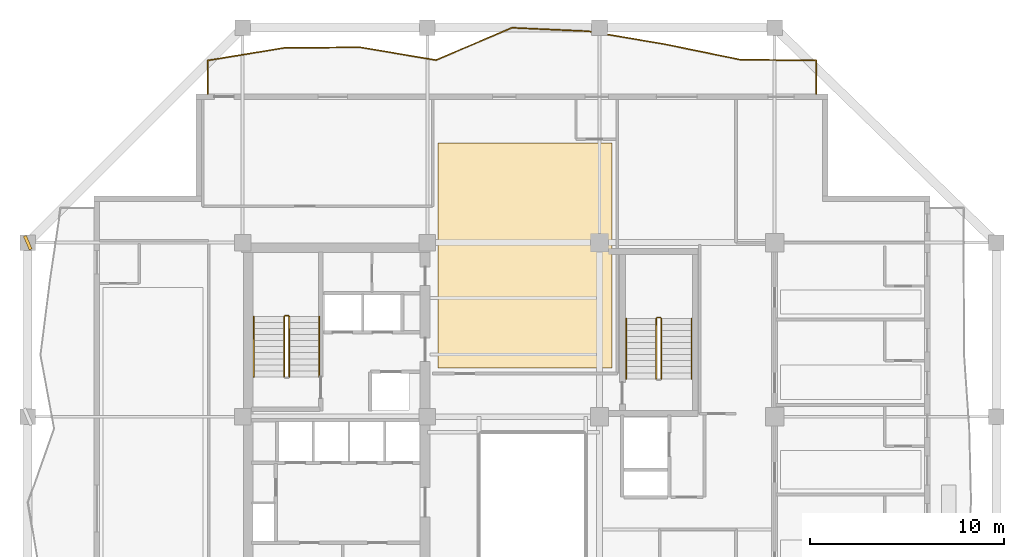
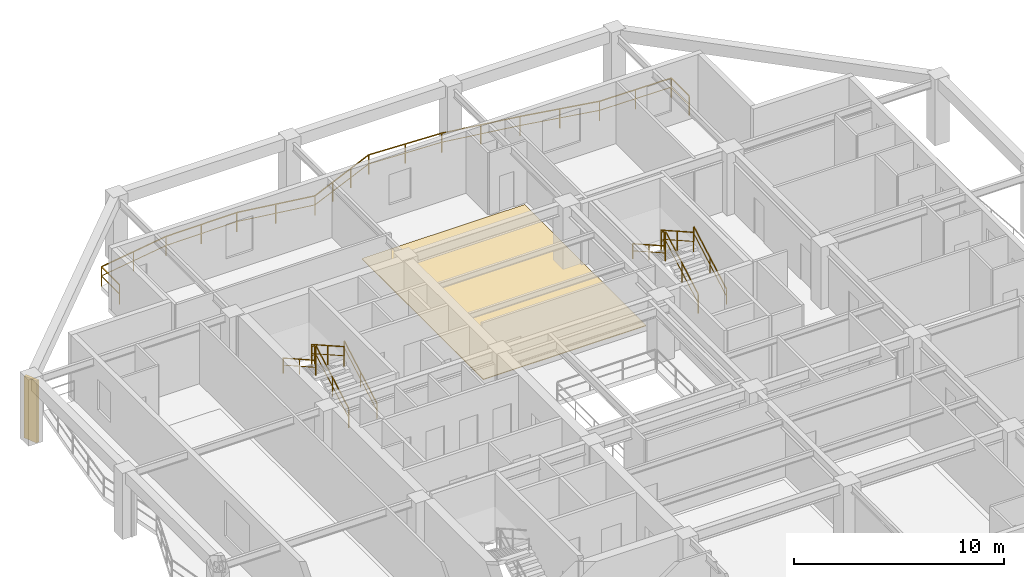
# One storey, part 11 of 13: 11 railings, 1 covering, 1 shading device.
"""IFC4 building model written with IfcOpenShell, lengths in metres."""

from ifc_helpers import new_model, si_unit, direction, frame, origin, origin_2d, place, context, subcontext, project, spatial, polyline, rectangle, outline, extrude, material, layer, layer_set, type_object, element, save


model = new_model("IFC4")

# Units and contexts
model_context = context("Model", 3, precision=1e-05, world=origin(), true_north=direction((0.0, 1.0)))
body_context = subcontext(model_context, "Body", "Model", "MODEL_VIEW")
ifc_project = project(units=[si_unit("LENGTHUNIT", "METRE"), si_unit("AREAUNIT", "SQUARE_METRE"), si_unit("VOLUMEUNIT", "CUBIC_METRE"), si_unit("PLANEANGLEUNIT", "RADIAN"), si_unit("MASSUNIT", "GRAM", prefix="KILO")], contexts=[model_context])

# Site, building, storey
site_placement = place(None, origin())
site = spatial("IfcSite", under=ifc_project, at=site_placement, CompositionType="ELEMENT")
building_placement = place(site_placement, origin())
building = spatial("IfcBuilding", under=site, at=building_placement, Name="Kundavana Baori Tower", CompositionType="ELEMENT")
storey_placement = place(building_placement, frame((0.0, 0.0, 188.699951171875)))
storey = spatial("IfcBuildingStorey", under=building, at=storey_placement, Name="L46", CompositionType="ELEMENT", Elevation=188.699951171875)

# Covering
ifc_material_1 = material(Name="Honed Kota Stone and Terrazzo Flooring", Category="masonry")
ifc_layer = layer(ifc_material_1, 0.0400390625, Name="COV-FLR-TERR-40")
ifc_layer_set = layer_set([ifc_layer], Name="Honed Kota Stone and Terrazzo Flooring")
covering_type = type_object("IfcCoveringType", Name="COV-FLR-TERR-40", PredefinedType="FLOORING", material=ifc_layer_set)
covering_placement = place(storey_placement, origin())
element("IfcCovering", 1, at=covering_placement, inside=storey, type_object=covering_type, Name="L46 Room Finished Stone Flooring 10", PredefinedType="FLOORING", context=body_context, shape_type="SweptSolid", body=[
    extrude(outline(polyline([(25.5, 35.5), (34.43994140625, 35.5), (34.43994140625, 47.070068359375), (25.5, 47.070068359375), (25.5, 35.5)])), origin(), (0.0, 0.0, 1.0), 0.0400390625),
])

# Railings
ifc_material_2 = material(Name="Architectural Patinated Bronze Metalwork")
railing_type_1 = type_object("IfcRailingType", Name="RL-BAL-1150", PredefinedType="BALUSTRADE", material=ifc_material_2)
railing_1_placement = place(storey_placement, frame((13.64990234375, 49.60009765625, 0.0)))
element("IfcRailing", 2, at=railing_1_placement, inside=storey, type_object=railing_type_1, Name="L46 Loggia Balcony Balustrade N", PredefinedType="BALUSTRADE", context=body_context, shape_type="SweptSolid", body=[
    extrude(rectangle(XDim=0.048095703125, YDim=0.048095703125, at=origin_2d()), frame((0.0, 0.0, 1.1259765625), z_axis=(0.0, 1.0, 0.0), x_axis=(-1.0, 0.0, 0.0)), (0.0, 0.0, 1.0), 1.719970703125),
    extrude(rectangle(XDim=0.03125, YDim=0.03125, at=origin_2d()), frame((0.0, 0.0, 0.597900390625), z_axis=(0.0, 1.0, 0.0), x_axis=(-1.0, 0.0, 0.0)), (0.0, 0.0, 1.0), 1.719970703125),
    extrude(rectangle(XDim=0.048095703125, YDim=0.048095703125, at=origin_2d()), frame((0.0, 1.719970703125, 1.1259765625), z_axis=(0.986806866027, 0.161901850398, 0.0), x_axis=(-0.161901850398, 0.986806866027, 0.0)), (0.0, 0.0, 1.0), 3.96435546875),
    extrude(rectangle(XDim=0.03125, YDim=0.03125, at=origin_2d()), frame((0.0, 1.719970703125, 0.597900390625), z_axis=(0.986806866027, 0.161901850398, 0.0), x_axis=(-0.161901850398, 0.986806866027, 0.0)), (0.0, 0.0, 1.0), 3.96435546875),
    extrude(rectangle(XDim=0.048095703125, YDim=0.048095703125, at=origin_2d()), frame((3.912109375, 2.36181640625, 1.1259765625), z_axis=(0.999955035557, 0.009482977627, 0.0), x_axis=(-0.009482977627, 0.999955035557, 0.0)), (0.0, 0.0, 1.0), 3.913330078125),
    extrude(rectangle(XDim=0.03125, YDim=0.03125, at=origin_2d()), frame((3.912109375, 2.36181640625, 0.597900390625), z_axis=(0.999955035557, 0.009482977627, 0.0), x_axis=(-0.009482977627, 0.999955035557, 0.0)), (0.0, 0.0, 1.0), 3.913330078125),
    extrude(rectangle(XDim=0.048095703125, YDim=0.048095703125, at=origin_2d()), frame((7.8251953125, 2.39892578125, 1.1259765625), z_axis=(0.986023986339, -0.166603416423, 0.0), x_axis=(0.166603416423, 0.986023986339, 0.0)), (0.0, 0.0, 1.0), 3.96826171875),
    extrude(rectangle(XDim=0.03125, YDim=0.03125, at=origin_2d()), frame((7.8251953125, 2.39892578125, 0.597900390625), z_axis=(0.986023986339, -0.166603416423, 0.0), x_axis=(0.166603416423, 0.986023986339, 0.0)), (0.0, 0.0, 1.0), 3.96826171875),
    extrude(rectangle(XDim=0.048095703125, YDim=0.048095703125, at=origin_2d()), frame((11.738037109375, 1.73779296875, 1.1259765625), z_axis=(0.920376399955, 0.391033607769, 0.0), x_axis=(-0.391033607769, 0.920376399955, 0.0)), (0.0, 0.0, 1.0), 4.25048828125),
    extrude(rectangle(XDim=0.03125, YDim=0.03125, at=origin_2d()), frame((11.738037109375, 1.73779296875, 0.597900390625), z_axis=(0.920376399955, 0.391033607769, 0.0), x_axis=(-0.391033607769, 0.920376399955, 0.0)), (0.0, 0.0, 1.0), 4.25048828125),
    extrude(rectangle(XDim=0.048095703125, YDim=0.048095703125, at=origin_2d()), frame((15.650146484375, 3.39990234375, 1.1259765625), z_axis=(0.998978412332, -0.045189951266, 0.0), x_axis=(0.045189951266, 0.998978412332, 0.0)), (0.0, 0.0, 1.0), 3.916748046875),
    extrude(rectangle(XDim=0.03125, YDim=0.03125, at=origin_2d()), frame((15.650146484375, 3.39990234375, 0.597900390625), z_axis=(0.998978412332, -0.045189951266, 0.0), x_axis=(0.045189951266, 0.998978412332, 0.0)), (0.0, 0.0, 1.0), 3.916748046875),
    extrude(rectangle(XDim=0.048095703125, YDim=0.048095703125, at=origin_2d()), frame((19.56298828125, 3.222900390625, 1.1259765625), z_axis=(0.986028970493, -0.166573915572, 0.0), x_axis=(0.166573915572, 0.986028970493, 0.0)), (0.0, 0.0, 1.0), 3.967529296875),
    extrude(rectangle(XDim=0.03125, YDim=0.03125, at=origin_2d()), frame((19.56298828125, 3.222900390625, 0.597900390625), z_axis=(0.986028970493, -0.166573915572, 0.0), x_axis=(0.166573915572, 0.986028970493, 0.0)), (0.0, 0.0, 1.0), 3.967529296875),
    extrude(rectangle(XDim=0.048095703125, YDim=0.048095703125, at=origin_2d()), frame((23.47509765625, 2.56201171875, 1.1259765625), z_axis=(0.979636312736, -0.200780215082, 0.0), x_axis=(0.200780215082, 0.979636312736, 0.0)), (0.0, 0.0, 1.0), 3.994384765625),
    extrude(rectangle(XDim=0.03125, YDim=0.03125, at=origin_2d()), frame((23.47509765625, 2.56201171875, 0.597900390625), z_axis=(0.979636312736, -0.200780215082, 0.0), x_axis=(0.200780215082, 0.979636312736, 0.0)), (0.0, 0.0, 1.0), 3.994384765625),
    extrude(rectangle(XDim=0.048095703125, YDim=0.048095703125, at=origin_2d()), frame((27.38818359375, 1.760009765625, 1.1259765625), z_axis=(0.999947623568, -0.010234750687, 0.0), x_axis=(0.010234750687, 0.999947623568, 0.0)), (0.0, 0.0, 1.0), 3.912109375),
    extrude(rectangle(XDim=0.03125, YDim=0.03125, at=origin_2d()), frame((27.38818359375, 1.760009765625, 0.597900390625), z_axis=(0.999947623568, -0.010234750687, 0.0), x_axis=(0.010234750687, 0.999947623568, 0.0)), (0.0, 0.0, 1.0), 3.912109375),
    extrude(rectangle(XDim=0.048095703125, YDim=0.048095703125, at=origin_2d()), frame((31.300048828125, 1.719970703125, 1.1259765625), z_axis=(0.0, -1.0, 0.0), x_axis=(1.0, 0.0, 0.0)), (0.0, 0.0, 1.0), 1.719970703125),
    extrude(rectangle(XDim=0.03125, YDim=0.03125, at=origin_2d()), frame((31.300048828125, 1.719970703125, 0.597900390625), z_axis=(0.0, -1.0, 0.0), x_axis=(1.0, 0.0, 0.0)), (0.0, 0.0, 1.0), 1.719970703125),
    extrude(rectangle(XDim=0.0419921875, YDim=0.0419921875, at=origin_2d()), origin(), (0.0, 0.0, 1.0), 1.101806640625),
    extrude(rectangle(XDim=0.0419921875, YDim=0.0419921875, at=origin_2d()), frame((0.0, 1.719970703125, 0.0)), (0.0, 0.0, 1.0), 1.101806640625),
    extrude(rectangle(XDim=0.0419921875, YDim=0.0419921875, at=origin_2d()), frame((1.9560546875, 2.041015625, 0.0)), (0.0, 0.0, 1.0), 1.101806640625),
    extrude(rectangle(XDim=0.0419921875, YDim=0.0419921875, at=origin_2d()), frame((3.912109375, 2.36181640625, 0.0)), (0.0, 0.0, 1.0), 1.101806640625),
    extrude(rectangle(XDim=0.0419921875, YDim=0.0419921875, at=origin_2d()), frame((5.86865234375, 2.38037109375, 0.0)), (0.0, 0.0, 1.0), 1.101806640625),
    extrude(rectangle(XDim=0.0419921875, YDim=0.0419921875, at=origin_2d()), frame((7.8251953125, 2.39892578125, 0.0)), (0.0, 0.0, 1.0), 1.101806640625),
    extrude(rectangle(XDim=0.0419921875, YDim=0.0419921875, at=origin_2d()), frame((9.78173828125, 2.068359375, 0.0)), (0.0, 0.0, 1.0), 1.101806640625),
    extrude(rectangle(XDim=0.0419921875, YDim=0.0419921875, at=origin_2d()), frame((11.738037109375, 1.73779296875, 0.0)), (0.0, 0.0, 1.0), 1.101806640625),
    extrude(rectangle(XDim=0.0419921875, YDim=0.0419921875, at=origin_2d()), frame((13.0419921875, 2.291748046875, 0.0)), (0.0, 0.0, 1.0), 1.101806640625),
    extrude(rectangle(XDim=0.0419921875, YDim=0.0419921875, at=origin_2d()), frame((14.34619140625, 2.845947265625, 0.0)), (0.0, 0.0, 1.0), 1.101806640625),
    extrude(rectangle(XDim=0.0419921875, YDim=0.0419921875, at=origin_2d()), frame((15.650146484375, 3.39990234375, 0.0)), (0.0, 0.0, 1.0), 1.101806640625),
    extrude(rectangle(XDim=0.0419921875, YDim=0.0419921875, at=origin_2d()), frame((17.6064453125, 3.3115234375, 0.0)), (0.0, 0.0, 1.0), 1.101806640625),
    extrude(rectangle(XDim=0.0419921875, YDim=0.0419921875, at=origin_2d()), frame((19.56298828125, 3.222900390625, 0.0)), (0.0, 0.0, 1.0), 1.101806640625),
    extrude(rectangle(XDim=0.0419921875, YDim=0.0419921875, at=origin_2d()), frame((21.51904296875, 2.892578125, 0.0)), (0.0, 0.0, 1.0), 1.101806640625),
    extrude(rectangle(XDim=0.0419921875, YDim=0.0419921875, at=origin_2d()), frame((23.47509765625, 2.56201171875, 0.0)), (0.0, 0.0, 1.0), 1.101806640625),
    extrude(rectangle(XDim=0.0419921875, YDim=0.0419921875, at=origin_2d()), frame((25.431640625, 2.1611328125, 0.0)), (0.0, 0.0, 1.0), 1.101806640625),
    extrude(rectangle(XDim=0.0419921875, YDim=0.0419921875, at=origin_2d()), frame((27.38818359375, 1.760009765625, 0.0)), (0.0, 0.0, 1.0), 1.101806640625),
    extrude(rectangle(XDim=0.0419921875, YDim=0.0419921875, at=origin_2d()), frame((29.34423828125, 1.739990234375, 0.0)), (0.0, 0.0, 1.0), 1.101806640625),
    extrude(rectangle(XDim=0.0419921875, YDim=0.0419921875, at=origin_2d()), frame((31.300048828125, 1.719970703125, 0.0)), (0.0, 0.0, 1.0), 1.101806640625),
    extrude(rectangle(XDim=0.0419921875, YDim=0.0419921875, at=origin_2d()), frame((31.300048828125, 0.0, 0.0)), (0.0, 0.0, 1.0), 1.101806640625),
])
ifc_material_3 = material(Name="Architectural Patinated Bronze Metalwork")
railing_type_2 = type_object("IfcRailingType", Name="RL-GRD-1150", PredefinedType="GUARDRAIL", material=ifc_material_3)
railing_2_placement = place(storey_placement, frame((17.840087890625, 35.050048828125, 0.175048828125)))
element("IfcRailing", 3, at=railing_2_placement, inside=storey, type_object=railing_type_2, Name="L46 ST2 stair guard 1", PredefinedType="GUARDRAIL", context=body_context, shape_type="SweptSolid", body=[
    extrude(rectangle(XDim=0.048095703125, YDim=0.048095703125, at=origin_2d()), frame((0.0, 0.0, 1.1259765625), z_axis=(0.0, 0.870814364268, 0.491611984175), x_axis=(-1.0, 0.0, 0.0)), (0.0, 0.0, 1.0), 3.559814453125),
    extrude(rectangle(XDim=0.03125, YDim=0.03125, at=origin_2d()), frame((0.0, 0.0, 0.597900390625), z_axis=(0.0, 0.870814364268, 0.491611984175), x_axis=(-1.0, 0.0, 0.0)), (0.0, 0.0, 1.0), 3.559814453125),
    extrude(rectangle(XDim=0.0419921875, YDim=0.0419921875, at=origin_2d()), origin(), (0.0, 0.0, 1.0), 1.101806640625),
    extrude(rectangle(XDim=0.0419921875, YDim=0.0419921875, at=origin_2d()), frame((0.0, 1.5498046875, 0.875)), (0.0, 0.0, 1.0), 1.101806640625),
    extrude(rectangle(XDim=0.0419921875, YDim=0.0419921875, at=origin_2d()), frame((0.0, 3.099853515625, 1.75)), (0.0, 0.0, 1.0), 1.101806640625),
])
railing_3_placement = place(storey_placement, frame((17.7900390625, 38.199951171875, 1.925048828125)))
element("IfcRailing", 4, at=railing_3_placement, inside=storey, type_object=railing_type_2, Name="L46 ST2 stair guard 2", PredefinedType="GUARDRAIL", context=body_context, shape_type="SweptSolid", body=[
    extrude(rectangle(XDim=0.048095703125, YDim=0.048095703125, at=origin_2d()), frame((0.0, 0.0, 1.1259765625), z_axis=(-1.0, 0.0, 0.0), x_axis=(0.0, -1.0, 0.0)), (0.0, 0.0, 1.0), 0.16015625),
    extrude(rectangle(XDim=0.03125, YDim=0.03125, at=origin_2d()), frame((0.0, 0.0, 0.597900390625), z_axis=(-1.0, 0.0, 0.0), x_axis=(0.0, -1.0, 0.0)), (0.0, 0.0, 1.0), 0.16015625),
    extrude(rectangle(XDim=0.0419921875, YDim=0.0419921875, at=origin_2d()), origin(), (0.0, 0.0, 1.0), 1.101806640625),
    extrude(rectangle(XDim=0.0419921875, YDim=0.0419921875, at=origin_2d()), frame((-0.16015625, 0.0, 0.0)), (0.0, 0.0, 1.0), 1.101806640625),
])
railing_4_placement = place(storey_placement, frame((17.580078125, 38.14990234375, 2.10009765625)))
element("IfcRailing", 5, at=railing_4_placement, inside=storey, type_object=railing_type_2, Name="L46 ST2 stair guard 3", PredefinedType="GUARDRAIL", context=body_context, shape_type="SweptSolid", body=[
    extrude(rectangle(XDim=0.048095703125, YDim=0.048095703125, at=origin_2d()), frame((0.0, 0.0, 1.1259765625), z_axis=(0.0, -0.870814364268, 0.491611984175), x_axis=(1.0, 0.0, 0.0)), (0.0, 0.0, 1.0), 3.559814453125),
    extrude(rectangle(XDim=0.03125, YDim=0.03125, at=origin_2d()), frame((0.0, 0.0, 0.597900390625), z_axis=(0.0, -0.870814364268, 0.491611984175), x_axis=(1.0, 0.0, 0.0)), (0.0, 0.0, 1.0), 3.559814453125),
    extrude(rectangle(XDim=0.0419921875, YDim=0.0419921875, at=origin_2d()), origin(), (0.0, 0.0, 1.0), 1.101806640625),
    extrude(rectangle(XDim=0.0419921875, YDim=0.0419921875, at=origin_2d()), frame((0.0, -1.5498046875, 0.875)), (0.0, 0.0, 1.0), 1.101806640625),
    extrude(rectangle(XDim=0.0419921875, YDim=0.0419921875, at=origin_2d()), frame((0.0, -3.099853515625, 1.75)), (0.0, 0.0, 1.0), 1.101806640625),
])
railing_5_placement = place(storey_placement, frame((36.97998046875, 34.949951171875, 0.175048828125)))
element("IfcRailing", 6, at=railing_5_placement, inside=storey, type_object=railing_type_2, Name="L46 ST3 stair guard 1", PredefinedType="GUARDRAIL", context=body_context, shape_type="SweptSolid", body=[
    extrude(rectangle(XDim=0.048095703125, YDim=0.048095703125, at=origin_2d()), frame((0.0, 0.0, 1.1259765625), z_axis=(0.0, 0.870830938388, 0.491582624537), x_axis=(-1.0, 0.0, 0.0)), (0.0, 0.0, 1.0), 3.559814453125),
    extrude(rectangle(XDim=0.03125, YDim=0.03125, at=origin_2d()), frame((0.0, 0.0, 0.597900390625), z_axis=(0.0, 0.870830938388, 0.491582624537), x_axis=(-1.0, 0.0, 0.0)), (0.0, 0.0, 1.0), 3.559814453125),
    extrude(rectangle(XDim=0.0419921875, YDim=0.0419921875, at=origin_2d()), origin(), (0.0, 0.0, 1.0), 1.101806640625),
    extrude(rectangle(XDim=0.0419921875, YDim=0.0419921875, at=origin_2d()), frame((0.0, 1.550048828125, 0.875)), (0.0, 0.0, 1.0), 1.101806640625),
    extrude(rectangle(XDim=0.0419921875, YDim=0.0419921875, at=origin_2d()), frame((0.0, 3.10009765625, 1.75)), (0.0, 0.0, 1.0), 1.101806640625),
])
railing_6_placement = place(storey_placement, frame((36.929931640625, 38.10009765625, 1.925048828125)))
element("IfcRailing", 7, at=railing_6_placement, inside=storey, type_object=railing_type_2, Name="L46 ST3 stair guard 2", PredefinedType="GUARDRAIL", context=body_context, shape_type="SweptSolid", body=[
    extrude(rectangle(XDim=0.048095703125, YDim=0.048095703125, at=origin_2d()), frame((0.0, 0.0, 1.1259765625), z_axis=(-1.0, 0.0, 0.0), x_axis=(0.0, -1.0, 0.0)), (0.0, 0.0, 1.0), 0.159912109375),
    extrude(rectangle(XDim=0.03125, YDim=0.03125, at=origin_2d()), frame((0.0, 0.0, 0.597900390625), z_axis=(-1.0, 0.0, 0.0), x_axis=(0.0, -1.0, 0.0)), (0.0, 0.0, 1.0), 0.159912109375),
    extrude(rectangle(XDim=0.0419921875, YDim=0.0419921875, at=origin_2d()), origin(), (0.0, 0.0, 1.0), 1.101806640625),
    extrude(rectangle(XDim=0.0419921875, YDim=0.0419921875, at=origin_2d()), frame((-0.159912109375, 0.0, 0.0)), (0.0, 0.0, 1.0), 1.101806640625),
])
railing_7_placement = place(storey_placement, frame((36.719970703125, 38.050048828125, 2.10009765625)))
element("IfcRailing", 8, at=railing_7_placement, inside=storey, type_object=railing_type_2, Name="L46 ST3 stair guard 3", PredefinedType="GUARDRAIL", context=body_context, shape_type="SweptSolid", body=[
    extrude(rectangle(XDim=0.048095703125, YDim=0.048095703125, at=origin_2d()), frame((0.0, 0.0, 1.1259765625), z_axis=(0.0, -0.870830938388, 0.491582624537), x_axis=(1.0, 0.0, 0.0)), (0.0, 0.0, 1.0), 3.559814453125),
    extrude(rectangle(XDim=0.03125, YDim=0.03125, at=origin_2d()), frame((0.0, 0.0, 0.597900390625), z_axis=(0.0, -0.870830938388, 0.491582624537), x_axis=(1.0, 0.0, 0.0)), (0.0, 0.0, 1.0), 3.559814453125),
    extrude(rectangle(XDim=0.0419921875, YDim=0.0419921875, at=origin_2d()), origin(), (0.0, 0.0, 1.0), 1.101806640625),
    extrude(rectangle(XDim=0.0419921875, YDim=0.0419921875, at=origin_2d()), frame((0.0, -1.550048828125, 0.875)), (0.0, 0.0, 1.0), 1.101806640625),
    extrude(rectangle(XDim=0.0419921875, YDim=0.0419921875, at=origin_2d()), frame((0.0, -3.10009765625, 1.75)), (0.0, 0.0, 1.0), 1.101806640625),
])
ifc_material_4 = material(Name="Architectural Patinated Bronze Metalwork")
railing_type_3 = type_object("IfcRailingType", Name="RL-HND-920", PredefinedType="HANDRAIL", material=ifc_material_4)
railing_8_placement = place(storey_placement, frame((19.389892578125, 35.050048828125, 0.175048828125)))
element("IfcRailing", 9, at=railing_8_placement, inside=storey, type_object=railing_type_3, Name="L46 ST2 stair handrail 1", PredefinedType="HANDRAIL", context=body_context, shape_type="SweptSolid", body=[
    extrude(rectangle(XDim=0.048095703125, YDim=0.048095703125, at=origin_2d()), frame((0.0, 0.0, 0.8759765625), z_axis=(0.0, 0.870814364268, 0.491611984175), x_axis=(-1.0, 0.0, 0.0)), (0.0, 0.0, 1.0), 3.559814453125),
    extrude(rectangle(XDim=0.03125, YDim=0.03125, at=origin_2d()), frame((0.0, 0.0, 0.468017578125), z_axis=(0.0, 0.870814364268, 0.491611984175), x_axis=(-1.0, 0.0, 0.0)), (0.0, 0.0, 1.0), 3.559814453125),
    extrude(rectangle(XDim=0.0419921875, YDim=0.0419921875, at=origin_2d()), origin(), (0.0, 0.0, 1.0), 0.851806640625),
    extrude(rectangle(XDim=0.0419921875, YDim=0.0419921875, at=origin_2d()), frame((0.0, 1.5498046875, 0.875)), (0.0, 0.0, 1.0), 0.851806640625),
    extrude(rectangle(XDim=0.0419921875, YDim=0.0419921875, at=origin_2d()), frame((0.0, 3.099853515625, 1.75)), (0.0, 0.0, 1.0), 0.851806640625),
])
railing_9_placement = place(storey_placement, frame((16.030029296875, 38.14990234375, 2.10009765625)))
element("IfcRailing", 10, at=railing_9_placement, inside=storey, type_object=railing_type_3, Name="L46 ST2 stair handrail 2", PredefinedType="HANDRAIL", context=body_context, shape_type="SweptSolid", body=[
    extrude(rectangle(XDim=0.048095703125, YDim=0.048095703125, at=origin_2d()), frame((0.0, 0.0, 0.8759765625), z_axis=(0.0, -0.870814364268, 0.491611984175), x_axis=(1.0, 0.0, 0.0)), (0.0, 0.0, 1.0), 3.559814453125),
    extrude(rectangle(XDim=0.03125, YDim=0.03125, at=origin_2d()), frame((0.0, 0.0, 0.468017578125), z_axis=(0.0, -0.870814364268, 0.491611984175), x_axis=(1.0, 0.0, 0.0)), (0.0, 0.0, 1.0), 3.559814453125),
    extrude(rectangle(XDim=0.0419921875, YDim=0.0419921875, at=origin_2d()), origin(), (0.0, 0.0, 1.0), 0.851806640625),
    extrude(rectangle(XDim=0.0419921875, YDim=0.0419921875, at=origin_2d()), frame((0.0, -1.5498046875, 0.875)), (0.0, 0.0, 1.0), 0.851806640625),
    extrude(rectangle(XDim=0.0419921875, YDim=0.0419921875, at=origin_2d()), frame((0.0, -3.099853515625, 1.75)), (0.0, 0.0, 1.0), 0.851806640625),
])
railing_10_placement = place(storey_placement, frame((38.530029296875, 34.949951171875, 0.175048828125)))
element("IfcRailing", 11, at=railing_10_placement, inside=storey, type_object=railing_type_3, Name="L46 ST3 stair handrail 1", PredefinedType="HANDRAIL", context=body_context, shape_type="SweptSolid", body=[
    extrude(rectangle(XDim=0.048095703125, YDim=0.048095703125, at=origin_2d()), frame((0.0, 0.0, 0.8759765625), z_axis=(0.0, 0.870830938388, 0.491582624537), x_axis=(-1.0, 0.0, 0.0)), (0.0, 0.0, 1.0), 3.559814453125),
    extrude(rectangle(XDim=0.03125, YDim=0.03125, at=origin_2d()), frame((0.0, 0.0, 0.468017578125), z_axis=(0.0, 0.870830938388, 0.491582624537), x_axis=(-1.0, 0.0, 0.0)), (0.0, 0.0, 1.0), 3.559814453125),
    extrude(rectangle(XDim=0.0419921875, YDim=0.0419921875, at=origin_2d()), origin(), (0.0, 0.0, 1.0), 0.851806640625),
    extrude(rectangle(XDim=0.0419921875, YDim=0.0419921875, at=origin_2d()), frame((0.0, 1.550048828125, 0.875)), (0.0, 0.0, 1.0), 0.851806640625),
    extrude(rectangle(XDim=0.0419921875, YDim=0.0419921875, at=origin_2d()), frame((0.0, 3.10009765625, 1.75)), (0.0, 0.0, 1.0), 0.851806640625),
])
railing_11_placement = place(storey_placement, frame((35.169921875, 38.050048828125, 2.10009765625)))
element("IfcRailing", 12, at=railing_11_placement, inside=storey, type_object=railing_type_3, Name="L46 ST3 stair handrail 2", PredefinedType="HANDRAIL", context=body_context, shape_type="SweptSolid", body=[
    extrude(rectangle(XDim=0.048095703125, YDim=0.048095703125, at=origin_2d()), frame((0.0, 0.0, 0.8759765625), z_axis=(0.0, -0.870830938388, 0.491582624537), x_axis=(1.0, 0.0, 0.0)), (0.0, 0.0, 1.0), 3.559814453125),
    extrude(rectangle(XDim=0.03125, YDim=0.03125, at=origin_2d()), frame((0.0, 0.0, 0.468017578125), z_axis=(0.0, -0.870830938388, 0.491582624537), x_axis=(1.0, 0.0, 0.0)), (0.0, 0.0, 1.0), 3.559814453125),
    extrude(rectangle(XDim=0.0419921875, YDim=0.0419921875, at=origin_2d()), origin(), (0.0, 0.0, 1.0), 0.851806640625),
    extrude(rectangle(XDim=0.0419921875, YDim=0.0419921875, at=origin_2d()), frame((0.0, -1.550048828125, 0.875)), (0.0, 0.0, 1.0), 0.851806640625),
    extrude(rectangle(XDim=0.0419921875, YDim=0.0419921875, at=origin_2d()), frame((0.0, -3.10009765625, 1.75)), (0.0, 0.0, 1.0), 0.851806640625),
])

# Shading device
ifc_material_5 = material(Name="Red-Buff Dholpur Sandstone Cladding on Concrete C40/50", Category="masonry")
shading_device_type = type_object("IfcShadingDeviceType", Name="SHD-FIN-750", PredefinedType="JALOUSIE", material=ifc_material_5)
shading_device_placement = place(storey_placement, frame((4.39990234375, 41.949951171875, 0.0), z_axis=(0.0, 0.0, 1.0), x_axis=(0.917685296323, 0.397308062984, 0.0)))
element("IfcShadingDevice", 13, at=shading_device_placement, inside=storey, type_object=shading_device_type, Name="L46 Sweeping Dholpur Sandstone Facade Fin 8", PredefinedType="JALOUSIE", context=body_context, shape_type="SweptSolid", body=[
    extrude(rectangle(XDim=0.159912109375, YDim=0.75, at=origin_2d()), origin(), (0.0, 0.0, 1.0), 3.60009765625),
])

save(model, "model.ifc")
